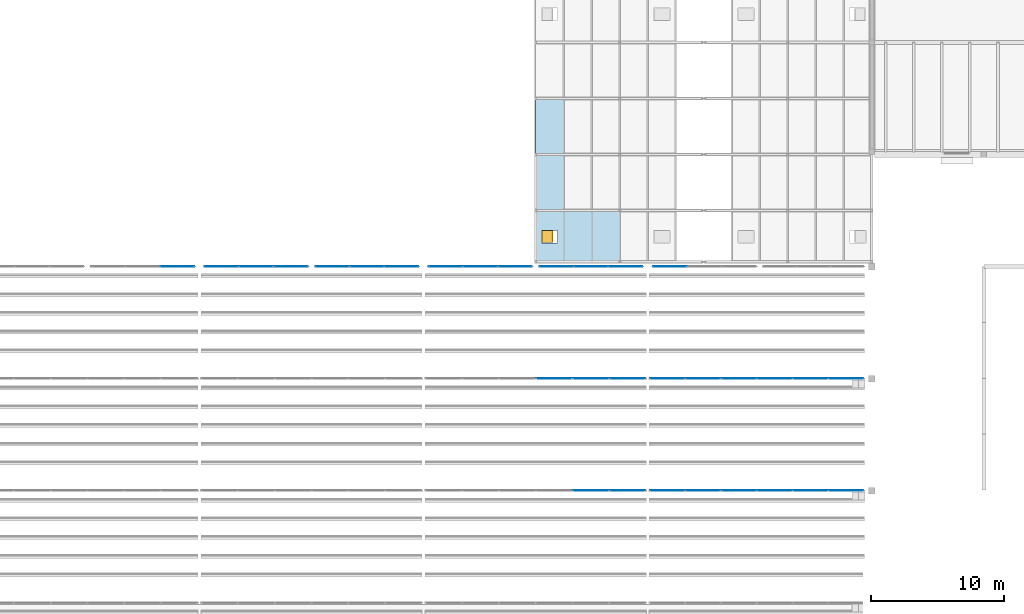
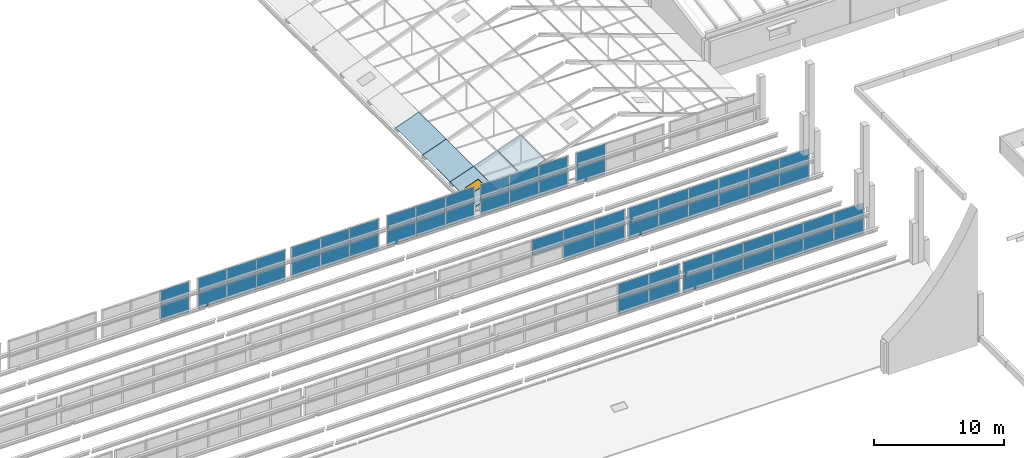
# One storey, part 84 of 116: 61 plates, 5 slabs, 1 window, 1 opening, 10 elements without a shape of their own.
"""IFC4 building model written with IfcOpenShell, lengths in metres."""

from ifc_helpers import new_model, si_unit, direction, frame, origin, origin_2d, place, context, subcontext, project, spatial, polyline, rectangle, outline, extrude, material, layer, layer_set, type_object, element, fill, aggregate, save


model = new_model("IFC4")

# Units and contexts
model_context = context("Model", 3, precision=1e-05, world=origin(), true_north=direction((0.0, 1.0)))
body_context = subcontext(model_context, "Body", "Model", "MODEL_VIEW")
ifc_project = project(units=[si_unit("LENGTHUNIT", "METRE"), si_unit("AREAUNIT", "SQUARE_METRE"), si_unit("VOLUMEUNIT", "CUBIC_METRE"), si_unit("PLANEANGLEUNIT", "RADIAN"), si_unit("MASSUNIT", "GRAM", prefix="KILO")], contexts=[model_context])

# Site, building, storey
site_placement = place(None, origin())
site = spatial("IfcSite", under=ifc_project, at=site_placement, CompositionType="ELEMENT")
building_placement = place(site_placement, origin())
building = spatial("IfcBuilding", under=site, at=building_placement, Name="Fescue Hill Polytechnic", CompositionType="ELEMENT")
storey_placement = place(building_placement, frame((0.0, 0.0, 13.5)))
storey = spatial("IfcBuildingStorey", under=building, at=storey_placement, Name="L03", CompositionType="ELEMENT", Elevation=13.5)

# Curtain wall, plates
ifc_material_1 = material(Name="Aluminium and glass", Category="aluminium")
curtain_wall_type = type_object("IfcCurtainWallType", Name="Sawtooth north glazing curtain wall", PredefinedType="NOTDEFINED", material=ifc_material_1)
curtain_wall_1_placement = place(storey_placement, origin())
curtain_wall_1 = element("IfcCurtainWall", 1, at=curtain_wall_1_placement, inside=storey, type_object=curtain_wall_type, Name="Sawtooth 2 north glazing bay 6", PredefinedType="NOTDEFINED")
ifc_material_2 = material(Name="Glass", Category="glass")
ifc_layer_1 = layer(ifc_material_2, 0.028076171875)
ifc_layer_set_1 = layer_set([ifc_layer_1], Name="Glass")
plate_type = type_object("IfcPlateType", Name="Curtain wall glazing panel 28", PredefinedType="CURTAIN_PANEL", material=ifc_layer_set_1)
plate_1_placement = place(storey_placement, frame((96.5400390625, 33.60009765625, 0.06005859375), z_axis=(0.0, 0.0, 1.0), x_axis=(1.0, 0.0, 0.0)))
plate_1 = element("IfcPlate", 2, at=plate_1_placement, type_object=plate_type, Name="CW13 panel 5.1", PredefinedType="CURTAIN_PANEL", context=body_context, shape_type="SweptSolid", body=[
    extrude(rectangle(XDim=2.699951171875, YDim=0.028076171875, at=origin_2d()), origin(), (0.0, 0.0, 1.0), 1.409912109375),
])
plate_2_placement = place(storey_placement, frame((96.5400390625, 33.60009765625, 1.5302734375), z_axis=(0.0, 0.0, 1.0), x_axis=(1.0, 0.0, 0.0)))
plate_2 = element("IfcPlate", 3, at=plate_2_placement, type_object=plate_type, Name="CW13 panel 5.2", PredefinedType="CURTAIN_PANEL", context=body_context, shape_type="SweptSolid", body=[
    extrude(rectangle(XDim=2.699951171875, YDim=0.028076171875, at=origin_2d()), origin(), (0.0, 0.0, 1.0), 1.409912109375),
])
plate_3_placement = place(storey_placement, frame((99.284912109375, 33.60009765625, 0.06005859375), z_axis=(0.0, 0.0, 1.0), x_axis=(1.0, 0.0, 0.0)))
plate_3 = element("IfcPlate", 4, at=plate_3_placement, type_object=plate_type, Name="CW13 panel 6.1", PredefinedType="CURTAIN_PANEL", context=body_context, shape_type="SweptSolid", body=[
    extrude(rectangle(XDim=2.669921875, YDim=0.028076171875, at=origin_2d()), origin(), (0.0, 0.0, 1.0), 1.409912109375),
])
plate_4_placement = place(storey_placement, frame((99.284912109375, 33.60009765625, 1.5302734375), z_axis=(0.0, 0.0, 1.0), x_axis=(1.0, 0.0, 0.0)))
plate_4 = element("IfcPlate", 5, at=plate_4_placement, type_object=plate_type, Name="CW13 panel 6.2", PredefinedType="CURTAIN_PANEL", context=body_context, shape_type="SweptSolid", body=[
    extrude(rectangle(XDim=2.669921875, YDim=0.028076171875, at=origin_2d()), origin(), (0.0, 0.0, 1.0), 1.409912109375),
])
aggregate(curtain_wall_1, [plate_1, plate_2, plate_3, plate_4])

curtain_wall_2_placement = place(storey_placement, origin())
curtain_wall_2 = element("IfcCurtainWall", 6, at=curtain_wall_2_placement, inside=storey, type_object=curtain_wall_type, Name="Sawtooth 2 north glazing bay 7", PredefinedType="NOTDEFINED")
plate_5_placement = place(storey_placement, frame((102.277587890625, 33.60009765625, 0.06005859375), z_axis=(0.0, 0.0, 1.0), x_axis=(1.0, 0.0, 0.0)))
plate_5 = element("IfcPlate", 7, at=plate_5_placement, type_object=plate_type, Name="CW14 panel 1.1", PredefinedType="CURTAIN_PANEL", context=body_context, shape_type="SweptSolid", body=[
    extrude(rectangle(XDim=2.594970703125, YDim=0.028076171875, at=origin_2d()), origin(), (0.0, 0.0, 1.0), 1.409912109375),
])
plate_6_placement = place(storey_placement, frame((102.277587890625, 33.60009765625, 1.5302734375), z_axis=(0.0, 0.0, 1.0), x_axis=(1.0, 0.0, 0.0)))
plate_6 = element("IfcPlate", 8, at=plate_6_placement, type_object=plate_type, Name="CW14 panel 1.2", PredefinedType="CURTAIN_PANEL", context=body_context, shape_type="SweptSolid", body=[
    extrude(rectangle(XDim=2.594970703125, YDim=0.028076171875, at=origin_2d()), origin(), (0.0, 0.0, 1.0), 1.409912109375),
])
plate_7_placement = place(storey_placement, frame((104.947509765625, 33.60009765625, 0.06005859375), z_axis=(0.0, 0.0, 1.0), x_axis=(1.0, 0.0, 0.0)))
plate_7 = element("IfcPlate", 9, at=plate_7_placement, type_object=plate_type, Name="CW14 panel 2.1", PredefinedType="CURTAIN_PANEL", context=body_context, shape_type="SweptSolid", body=[
    extrude(rectangle(XDim=2.625, YDim=0.028076171875, at=origin_2d()), origin(), (0.0, 0.0, 1.0), 1.409912109375),
])
plate_8_placement = place(storey_placement, frame((104.947509765625, 33.60009765625, 1.5302734375), z_axis=(0.0, 0.0, 1.0), x_axis=(1.0, 0.0, 0.0)))
plate_8 = element("IfcPlate", 10, at=plate_8_placement, type_object=plate_type, Name="CW14 panel 2.2", PredefinedType="CURTAIN_PANEL", context=body_context, shape_type="SweptSolid", body=[
    extrude(rectangle(XDim=2.625, YDim=0.028076171875, at=origin_2d()), origin(), (0.0, 0.0, 1.0), 1.409912109375),
])
plate_9_placement = place(storey_placement, frame((107.632568359375, 33.60009765625, 0.06005859375), z_axis=(0.0, 0.0, 1.0), x_axis=(1.0, 0.0, 0.0)))
plate_9 = element("IfcPlate", 11, at=plate_9_placement, type_object=plate_type, Name="CW14 panel 3.1", PredefinedType="CURTAIN_PANEL", context=body_context, shape_type="SweptSolid", body=[
    extrude(rectangle(XDim=2.625, YDim=0.028076171875, at=origin_2d()), origin(), (0.0, 0.0, 1.0), 1.409912109375),
])
plate_10_placement = place(storey_placement, frame((107.632568359375, 33.60009765625, 1.5302734375), z_axis=(0.0, 0.0, 1.0), x_axis=(1.0, 0.0, 0.0)))
plate_10 = element("IfcPlate", 12, at=plate_10_placement, type_object=plate_type, Name="CW14 panel 3.2", PredefinedType="CURTAIN_PANEL", context=body_context, shape_type="SweptSolid", body=[
    extrude(rectangle(XDim=2.625, YDim=0.028076171875, at=origin_2d()), origin(), (0.0, 0.0, 1.0), 1.409912109375),
])
plate_11_placement = place(storey_placement, frame((110.3173828125, 33.60009765625, 0.06005859375), z_axis=(0.0, 0.0, 1.0), x_axis=(1.0, 0.0, 0.0)))
plate_11 = element("IfcPlate", 13, at=plate_11_placement, type_object=plate_type, Name="CW14 panel 4.1", PredefinedType="CURTAIN_PANEL", context=body_context, shape_type="SweptSolid", body=[
    extrude(rectangle(XDim=2.625, YDim=0.028076171875, at=origin_2d()), origin(), (0.0, 0.0, 1.0), 1.409912109375),
])
plate_12_placement = place(storey_placement, frame((110.3173828125, 33.60009765625, 1.5302734375), z_axis=(0.0, 0.0, 1.0), x_axis=(1.0, 0.0, 0.0)))
plate_12 = element("IfcPlate", 14, at=plate_12_placement, type_object=plate_type, Name="CW14 panel 4.2", PredefinedType="CURTAIN_PANEL", context=body_context, shape_type="SweptSolid", body=[
    extrude(rectangle(XDim=2.625, YDim=0.028076171875, at=origin_2d()), origin(), (0.0, 0.0, 1.0), 1.409912109375),
])
plate_13_placement = place(storey_placement, frame((113.00244140625, 33.60009765625, 0.06005859375), z_axis=(0.0, 0.0, 1.0), x_axis=(1.0, 0.0, 0.0)))
plate_13 = element("IfcPlate", 15, at=plate_13_placement, type_object=plate_type, Name="CW14 panel 5.1", PredefinedType="CURTAIN_PANEL", context=body_context, shape_type="SweptSolid", body=[
    extrude(rectangle(XDim=2.625, YDim=0.028076171875, at=origin_2d()), origin(), (0.0, 0.0, 1.0), 1.409912109375),
])
plate_14_placement = place(storey_placement, frame((113.00244140625, 33.60009765625, 1.5302734375), z_axis=(0.0, 0.0, 1.0), x_axis=(1.0, 0.0, 0.0)))
plate_14 = element("IfcPlate", 16, at=plate_14_placement, type_object=plate_type, Name="CW14 panel 5.2", PredefinedType="CURTAIN_PANEL", context=body_context, shape_type="SweptSolid", body=[
    extrude(rectangle(XDim=2.625, YDim=0.028076171875, at=origin_2d()), origin(), (0.0, 0.0, 1.0), 1.409912109375),
])
plate_15_placement = place(storey_placement, frame((115.672607421875, 33.60009765625, 0.06005859375), z_axis=(0.0, 0.0, 1.0), x_axis=(1.0, 0.0, 0.0)))
plate_15 = element("IfcPlate", 17, at=plate_15_placement, type_object=plate_type, Name="CW14 panel 6.1", PredefinedType="CURTAIN_PANEL", context=body_context, shape_type="SweptSolid", body=[
    extrude(rectangle(XDim=2.594970703125, YDim=0.028076171875, at=origin_2d()), origin(), (0.0, 0.0, 1.0), 1.409912109375),
])
plate_16_placement = place(storey_placement, frame((115.672607421875, 33.60009765625, 1.5302734375), z_axis=(0.0, 0.0, 1.0), x_axis=(1.0, 0.0, 0.0)))
plate_16 = element("IfcPlate", 18, at=plate_16_placement, type_object=plate_type, Name="CW14 panel 6.2", PredefinedType="CURTAIN_PANEL", context=body_context, shape_type="SweptSolid", body=[
    extrude(rectangle(XDim=2.594970703125, YDim=0.028076171875, at=origin_2d()), origin(), (0.0, 0.0, 1.0), 1.409912109375),
])
aggregate(curtain_wall_2, [plate_5, plate_6, plate_7, plate_8, plate_9, plate_10, plate_11, plate_12, plate_13, plate_14, plate_15, plate_16])

curtain_wall_3_placement = place(storey_placement, origin())
curtain_wall_3 = element("IfcCurtainWall", 19, at=curtain_wall_3_placement, inside=storey, type_object=curtain_wall_type, Name="Sawtooth 3 north glazing bay 6", PredefinedType="NOTDEFINED")
plate_17_placement = place(storey_placement, frame((93.780029296875, 42.0, 1.5302734375), z_axis=(0.0, 0.0, 1.0), x_axis=(1.0, 0.0, 0.0)))
plate_17 = element("IfcPlate", 20, at=plate_17_placement, type_object=plate_type, Name="CW20 panel 4.2", PredefinedType="CURTAIN_PANEL", context=body_context, shape_type="SweptSolid", body=[
    extrude(rectangle(XDim=2.699951171875, YDim=0.028076171875, at=origin_2d()), origin(), (0.0, 0.0, 1.0), 1.409912109375),
])
plate_18_placement = place(storey_placement, frame((96.5400390625, 42.0, 0.06005859375), z_axis=(0.0, 0.0, 1.0), x_axis=(1.0, 0.0, 0.0)))
plate_18 = element("IfcPlate", 21, at=plate_18_placement, type_object=plate_type, Name="CW20 panel 5.1", PredefinedType="CURTAIN_PANEL", context=body_context, shape_type="SweptSolid", body=[
    extrude(rectangle(XDim=2.699951171875, YDim=0.028076171875, at=origin_2d()), origin(), (0.0, 0.0, 1.0), 1.409912109375),
])
plate_19_placement = place(storey_placement, frame((96.5400390625, 42.0, 1.5302734375), z_axis=(0.0, 0.0, 1.0), x_axis=(1.0, 0.0, 0.0)))
plate_19 = element("IfcPlate", 22, at=plate_19_placement, type_object=plate_type, Name="CW20 panel 5.2", PredefinedType="CURTAIN_PANEL", context=body_context, shape_type="SweptSolid", body=[
    extrude(rectangle(XDim=2.699951171875, YDim=0.028076171875, at=origin_2d()), origin(), (0.0, 0.0, 1.0), 1.409912109375),
])
plate_20_placement = place(storey_placement, frame((99.284912109375, 42.0, 0.06005859375), z_axis=(0.0, 0.0, 1.0), x_axis=(1.0, 0.0, 0.0)))
plate_20 = element("IfcPlate", 23, at=plate_20_placement, type_object=plate_type, Name="CW20 panel 6.1", PredefinedType="CURTAIN_PANEL", context=body_context, shape_type="SweptSolid", body=[
    extrude(rectangle(XDim=2.669921875, YDim=0.028076171875, at=origin_2d()), origin(), (0.0, 0.0, 1.0), 1.409912109375),
])
plate_21_placement = place(storey_placement, frame((99.284912109375, 42.0, 1.5302734375), z_axis=(0.0, 0.0, 1.0), x_axis=(1.0, 0.0, 0.0)))
plate_21 = element("IfcPlate", 24, at=plate_21_placement, type_object=plate_type, Name="CW20 panel 6.2", PredefinedType="CURTAIN_PANEL", context=body_context, shape_type="SweptSolid", body=[
    extrude(rectangle(XDim=2.669921875, YDim=0.028076171875, at=origin_2d()), origin(), (0.0, 0.0, 1.0), 1.409912109375),
])
aggregate(curtain_wall_3, [plate_17, plate_18, plate_19, plate_20, plate_21])

curtain_wall_4_placement = place(storey_placement, origin())
curtain_wall_4 = element("IfcCurtainWall", 25, at=curtain_wall_4_placement, inside=storey, type_object=curtain_wall_type, Name="Sawtooth 3 north glazing bay 7", PredefinedType="NOTDEFINED")
plate_22_placement = place(storey_placement, frame((102.277587890625, 42.0, 0.06005859375), z_axis=(0.0, 0.0, 1.0), x_axis=(1.0, 0.0, 0.0)))
plate_22 = element("IfcPlate", 26, at=plate_22_placement, type_object=plate_type, Name="CW21 panel 1.1", PredefinedType="CURTAIN_PANEL", context=body_context, shape_type="SweptSolid", body=[
    extrude(rectangle(XDim=2.594970703125, YDim=0.028076171875, at=origin_2d()), origin(), (0.0, 0.0, 1.0), 1.409912109375),
])
plate_23_placement = place(storey_placement, frame((102.277587890625, 42.0, 1.5302734375), z_axis=(0.0, 0.0, 1.0), x_axis=(1.0, 0.0, 0.0)))
plate_23 = element("IfcPlate", 27, at=plate_23_placement, type_object=plate_type, Name="CW21 panel 1.2", PredefinedType="CURTAIN_PANEL", context=body_context, shape_type="SweptSolid", body=[
    extrude(rectangle(XDim=2.594970703125, YDim=0.028076171875, at=origin_2d()), origin(), (0.0, 0.0, 1.0), 1.409912109375),
])
plate_24_placement = place(storey_placement, frame((104.947509765625, 42.0, 0.06005859375), z_axis=(0.0, 0.0, 1.0), x_axis=(1.0, 0.0, 0.0)))
plate_24 = element("IfcPlate", 28, at=plate_24_placement, type_object=plate_type, Name="CW21 panel 2.1", PredefinedType="CURTAIN_PANEL", context=body_context, shape_type="SweptSolid", body=[
    extrude(rectangle(XDim=2.625, YDim=0.028076171875, at=origin_2d()), origin(), (0.0, 0.0, 1.0), 1.409912109375),
])
plate_25_placement = place(storey_placement, frame((104.947509765625, 42.0, 1.5302734375), z_axis=(0.0, 0.0, 1.0), x_axis=(1.0, 0.0, 0.0)))
plate_25 = element("IfcPlate", 29, at=plate_25_placement, type_object=plate_type, Name="CW21 panel 2.2", PredefinedType="CURTAIN_PANEL", context=body_context, shape_type="SweptSolid", body=[
    extrude(rectangle(XDim=2.625, YDim=0.028076171875, at=origin_2d()), origin(), (0.0, 0.0, 1.0), 1.409912109375),
])
plate_26_placement = place(storey_placement, frame((107.632568359375, 42.0, 0.06005859375), z_axis=(0.0, 0.0, 1.0), x_axis=(1.0, 0.0, 0.0)))
plate_26 = element("IfcPlate", 30, at=plate_26_placement, type_object=plate_type, Name="CW21 panel 3.1", PredefinedType="CURTAIN_PANEL", context=body_context, shape_type="SweptSolid", body=[
    extrude(rectangle(XDim=2.625, YDim=0.028076171875, at=origin_2d()), origin(), (0.0, 0.0, 1.0), 1.409912109375),
])
plate_27_placement = place(storey_placement, frame((107.632568359375, 42.0, 1.5302734375), z_axis=(0.0, 0.0, 1.0), x_axis=(1.0, 0.0, 0.0)))
plate_27 = element("IfcPlate", 31, at=plate_27_placement, type_object=plate_type, Name="CW21 panel 3.2", PredefinedType="CURTAIN_PANEL", context=body_context, shape_type="SweptSolid", body=[
    extrude(rectangle(XDim=2.625, YDim=0.028076171875, at=origin_2d()), origin(), (0.0, 0.0, 1.0), 1.409912109375),
])
plate_28_placement = place(storey_placement, frame((110.3173828125, 42.0, 0.06005859375), z_axis=(0.0, 0.0, 1.0), x_axis=(1.0, 0.0, 0.0)))
plate_28 = element("IfcPlate", 32, at=plate_28_placement, type_object=plate_type, Name="CW21 panel 4.1", PredefinedType="CURTAIN_PANEL", context=body_context, shape_type="SweptSolid", body=[
    extrude(rectangle(XDim=2.625, YDim=0.028076171875, at=origin_2d()), origin(), (0.0, 0.0, 1.0), 1.409912109375),
])
plate_29_placement = place(storey_placement, frame((110.3173828125, 42.0, 1.5302734375), z_axis=(0.0, 0.0, 1.0), x_axis=(1.0, 0.0, 0.0)))
plate_29 = element("IfcPlate", 33, at=plate_29_placement, type_object=plate_type, Name="CW21 panel 4.2", PredefinedType="CURTAIN_PANEL", context=body_context, shape_type="SweptSolid", body=[
    extrude(rectangle(XDim=2.625, YDim=0.028076171875, at=origin_2d()), origin(), (0.0, 0.0, 1.0), 1.409912109375),
])
plate_30_placement = place(storey_placement, frame((113.00244140625, 42.0, 0.06005859375), z_axis=(0.0, 0.0, 1.0), x_axis=(1.0, 0.0, 0.0)))
plate_30 = element("IfcPlate", 34, at=plate_30_placement, type_object=plate_type, Name="CW21 panel 5.1", PredefinedType="CURTAIN_PANEL", context=body_context, shape_type="SweptSolid", body=[
    extrude(rectangle(XDim=2.625, YDim=0.028076171875, at=origin_2d()), origin(), (0.0, 0.0, 1.0), 1.409912109375),
])
plate_31_placement = place(storey_placement, frame((113.00244140625, 42.0, 1.5302734375), z_axis=(0.0, 0.0, 1.0), x_axis=(1.0, 0.0, 0.0)))
plate_31 = element("IfcPlate", 35, at=plate_31_placement, type_object=plate_type, Name="CW21 panel 5.2", PredefinedType="CURTAIN_PANEL", context=body_context, shape_type="SweptSolid", body=[
    extrude(rectangle(XDim=2.625, YDim=0.028076171875, at=origin_2d()), origin(), (0.0, 0.0, 1.0), 1.409912109375),
])
plate_32_placement = place(storey_placement, frame((115.672607421875, 42.0, 0.06005859375), z_axis=(0.0, 0.0, 1.0), x_axis=(1.0, 0.0, 0.0)))
plate_32 = element("IfcPlate", 36, at=plate_32_placement, type_object=plate_type, Name="CW21 panel 6.1", PredefinedType="CURTAIN_PANEL", context=body_context, shape_type="SweptSolid", body=[
    extrude(rectangle(XDim=2.594970703125, YDim=0.028076171875, at=origin_2d()), origin(), (0.0, 0.0, 1.0), 1.409912109375),
])
plate_33_placement = place(storey_placement, frame((115.672607421875, 42.0, 1.5302734375), z_axis=(0.0, 0.0, 1.0), x_axis=(1.0, 0.0, 0.0)))
plate_33 = element("IfcPlate", 37, at=plate_33_placement, type_object=plate_type, Name="CW21 panel 6.2", PredefinedType="CURTAIN_PANEL", context=body_context, shape_type="SweptSolid", body=[
    extrude(rectangle(XDim=2.594970703125, YDim=0.028076171875, at=origin_2d()), origin(), (0.0, 0.0, 1.0), 1.409912109375),
])
aggregate(curtain_wall_4, [plate_22, plate_23, plate_24, plate_25, plate_26, plate_27, plate_28, plate_29, plate_30, plate_31, plate_32, plate_33])

curtain_wall_5_placement = place(storey_placement, origin())
curtain_wall_5 = element("IfcCurtainWall", 38, at=curtain_wall_5_placement, inside=storey, type_object=curtain_wall_type, Name="Sawtooth 4 north glazing bay 4 part 2", PredefinedType="NOTDEFINED")
plate_34_placement = place(storey_placement, frame((65.541748046875, 50.39990234375, 0.06005859375), z_axis=(0.0, 0.0, 1.0), x_axis=(1.0, 0.0, 0.0)))
plate_34 = element("IfcPlate", 39, at=plate_34_placement, type_object=plate_type, Name="CW29 panel 3.1", PredefinedType="CURTAIN_PANEL", context=body_context, shape_type="SweptSolid", body=[
    extrude(rectangle(XDim=2.5166015625, YDim=0.028076171875, at=origin_2d()), origin(), (0.0, 0.0, 1.0), 1.409912109375),
])
plate_35_placement = place(storey_placement, frame((65.541748046875, 50.39990234375, 1.5302734375), z_axis=(0.0, 0.0, 1.0), x_axis=(1.0, 0.0, 0.0)))
plate_35 = element("IfcPlate", 40, at=plate_35_placement, type_object=plate_type, Name="CW29 panel 3.2", PredefinedType="CURTAIN_PANEL", context=body_context, shape_type="SweptSolid", body=[
    extrude(rectangle(XDim=2.5166015625, YDim=0.028076171875, at=origin_2d()), origin(), (0.0, 0.0, 1.0), 1.409912109375),
])
aggregate(curtain_wall_5, [plate_34, plate_35])

curtain_wall_6_placement = place(storey_placement, origin())
curtain_wall_6 = element("IfcCurtainWall", 41, at=curtain_wall_6_placement, inside=storey, type_object=curtain_wall_type, Name="Sawtooth 4 north glazing bay 5 part 1", PredefinedType="NOTDEFINED")
plate_36_placement = place(storey_placement, frame((68.8583984375, 50.39990234375, 0.06005859375), z_axis=(0.0, 0.0, 1.0), x_axis=(1.0, 0.0, 0.0)))
plate_36 = element("IfcPlate", 42, at=plate_36_placement, type_object=plate_type, Name="CW30 panel 1.1", PredefinedType="CURTAIN_PANEL", context=body_context, shape_type="SweptSolid", body=[
    extrude(rectangle(XDim=2.5166015625, YDim=0.028076171875, at=origin_2d()), origin(), (0.0, 0.0, 1.0), 1.409912109375),
])
plate_37_placement = place(storey_placement, frame((68.8583984375, 50.39990234375, 1.5302734375), z_axis=(0.0, 0.0, 1.0), x_axis=(1.0, 0.0, 0.0)))
plate_37 = element("IfcPlate", 43, at=plate_37_placement, type_object=plate_type, Name="CW30 panel 1.2", PredefinedType="CURTAIN_PANEL", context=body_context, shape_type="SweptSolid", body=[
    extrude(rectangle(XDim=2.5166015625, YDim=0.028076171875, at=origin_2d()), origin(), (0.0, 0.0, 1.0), 1.409912109375),
])
plate_38_placement = place(storey_placement, frame((71.449951171875, 50.39990234375, 0.06005859375), z_axis=(0.0, 0.0, 1.0), x_axis=(1.0, 0.0, 0.0)))
plate_38 = element("IfcPlate", 44, at=plate_38_placement, type_object=plate_type, Name="CW30 panel 2.1", PredefinedType="CURTAIN_PANEL", context=body_context, shape_type="SweptSolid", body=[
    extrude(rectangle(XDim=2.546630859375, YDim=0.028076171875, at=origin_2d()), origin(), (0.0, 0.0, 1.0), 1.409912109375),
])
plate_39_placement = place(storey_placement, frame((71.449951171875, 50.39990234375, 1.5302734375), z_axis=(0.0, 0.0, 1.0), x_axis=(1.0, 0.0, 0.0)))
plate_39 = element("IfcPlate", 45, at=plate_39_placement, type_object=plate_type, Name="CW30 panel 2.2", PredefinedType="CURTAIN_PANEL", context=body_context, shape_type="SweptSolid", body=[
    extrude(rectangle(XDim=2.546630859375, YDim=0.028076171875, at=origin_2d()), origin(), (0.0, 0.0, 1.0), 1.409912109375),
])
plate_40_placement = place(storey_placement, frame((74.041748046875, 50.39990234375, 0.06005859375), z_axis=(0.0, 0.0, 1.0), x_axis=(1.0, 0.0, 0.0)))
plate_40 = element("IfcPlate", 46, at=plate_40_placement, type_object=plate_type, Name="CW30 panel 3.1", PredefinedType="CURTAIN_PANEL", context=body_context, shape_type="SweptSolid", body=[
    extrude(rectangle(XDim=2.5166015625, YDim=0.028076171875, at=origin_2d()), origin(), (0.0, 0.0, 1.0), 1.409912109375),
])
plate_41_placement = place(storey_placement, frame((74.041748046875, 50.39990234375, 1.5302734375), z_axis=(0.0, 0.0, 1.0), x_axis=(1.0, 0.0, 0.0)))
plate_41 = element("IfcPlate", 47, at=plate_41_placement, type_object=plate_type, Name="CW30 panel 3.2", PredefinedType="CURTAIN_PANEL", context=body_context, shape_type="SweptSolid", body=[
    extrude(rectangle(XDim=2.5166015625, YDim=0.028076171875, at=origin_2d()), origin(), (0.0, 0.0, 1.0), 1.409912109375),
])
aggregate(curtain_wall_6, [plate_36, plate_37, plate_38, plate_39, plate_40, plate_41])

curtain_wall_7_placement = place(storey_placement, origin())
curtain_wall_7 = element("IfcCurtainWall", 48, at=curtain_wall_7_placement, inside=storey, type_object=curtain_wall_type, Name="Sawtooth 4 north glazing bay 5 part 2", PredefinedType="NOTDEFINED")
plate_42_placement = place(storey_placement, frame((77.158447265625, 50.39990234375, 0.06005859375), z_axis=(0.0, 0.0, 1.0), x_axis=(1.0, 0.0, 0.0)))
plate_42 = element("IfcPlate", 49, at=plate_42_placement, type_object=plate_type, Name="CW31 panel 1.1", PredefinedType="CURTAIN_PANEL", context=body_context, shape_type="SweptSolid", body=[
    extrude(rectangle(XDim=2.5166015625, YDim=0.028076171875, at=origin_2d()), origin(), (0.0, 0.0, 1.0), 1.409912109375),
])
plate_43_placement = place(storey_placement, frame((77.158447265625, 50.39990234375, 1.5302734375), z_axis=(0.0, 0.0, 1.0), x_axis=(1.0, 0.0, 0.0)))
plate_43 = element("IfcPlate", 50, at=plate_43_placement, type_object=plate_type, Name="CW31 panel 1.2", PredefinedType="CURTAIN_PANEL", context=body_context, shape_type="SweptSolid", body=[
    extrude(rectangle(XDim=2.5166015625, YDim=0.028076171875, at=origin_2d()), origin(), (0.0, 0.0, 1.0), 1.409912109375),
])
plate_44_placement = place(storey_placement, frame((79.75, 50.39990234375, 0.06005859375), z_axis=(0.0, 0.0, 1.0), x_axis=(1.0, 0.0, 0.0)))
plate_44 = element("IfcPlate", 51, at=plate_44_placement, type_object=plate_type, Name="CW31 panel 2.1", PredefinedType="CURTAIN_PANEL", context=body_context, shape_type="SweptSolid", body=[
    extrude(rectangle(XDim=2.546630859375, YDim=0.028076171875, at=origin_2d()), origin(), (0.0, 0.0, 1.0), 1.409912109375),
])
plate_45_placement = place(storey_placement, frame((79.75, 50.39990234375, 1.5302734375), z_axis=(0.0, 0.0, 1.0), x_axis=(1.0, 0.0, 0.0)))
plate_45 = element("IfcPlate", 52, at=plate_45_placement, type_object=plate_type, Name="CW31 panel 2.2", PredefinedType="CURTAIN_PANEL", context=body_context, shape_type="SweptSolid", body=[
    extrude(rectangle(XDim=2.546630859375, YDim=0.028076171875, at=origin_2d()), origin(), (0.0, 0.0, 1.0), 1.409912109375),
])
plate_46_placement = place(storey_placement, frame((82.341552734375, 50.39990234375, 0.06005859375), z_axis=(0.0, 0.0, 1.0), x_axis=(1.0, 0.0, 0.0)))
plate_46 = element("IfcPlate", 53, at=plate_46_placement, type_object=plate_type, Name="CW31 panel 3.1", PredefinedType="CURTAIN_PANEL", context=body_context, shape_type="SweptSolid", body=[
    extrude(rectangle(XDim=2.5166015625, YDim=0.028076171875, at=origin_2d()), origin(), (0.0, 0.0, 1.0), 1.409912109375),
])
plate_47_placement = place(storey_placement, frame((82.341552734375, 50.39990234375, 1.5302734375), z_axis=(0.0, 0.0, 1.0), x_axis=(1.0, 0.0, 0.0)))
plate_47 = element("IfcPlate", 54, at=plate_47_placement, type_object=plate_type, Name="CW31 panel 3.2", PredefinedType="CURTAIN_PANEL", context=body_context, shape_type="SweptSolid", body=[
    extrude(rectangle(XDim=2.5166015625, YDim=0.028076171875, at=origin_2d()), origin(), (0.0, 0.0, 1.0), 1.409912109375),
])
aggregate(curtain_wall_7, [plate_42, plate_43, plate_44, plate_45, plate_46, plate_47])

curtain_wall_8_placement = place(storey_placement, origin())
curtain_wall_8 = element("IfcCurtainWall", 55, at=curtain_wall_8_placement, inside=storey, type_object=curtain_wall_type, Name="Sawtooth 4 north glazing bay 6 part 1", PredefinedType="NOTDEFINED")
plate_48_placement = place(storey_placement, frame((85.658447265625, 50.39990234375, 0.06005859375), z_axis=(0.0, 0.0, 1.0), x_axis=(1.0, 0.0, 0.0)))
plate_48 = element("IfcPlate", 56, at=plate_48_placement, type_object=plate_type, Name="CW32 panel 1.1", PredefinedType="CURTAIN_PANEL", context=body_context, shape_type="SweptSolid", body=[
    extrude(rectangle(XDim=2.5166015625, YDim=0.028076171875, at=origin_2d()), origin(), (0.0, 0.0, 1.0), 1.409912109375),
])
plate_49_placement = place(storey_placement, frame((85.658447265625, 50.39990234375, 1.5302734375), z_axis=(0.0, 0.0, 1.0), x_axis=(1.0, 0.0, 0.0)))
plate_49 = element("IfcPlate", 57, at=plate_49_placement, type_object=plate_type, Name="CW32 panel 1.2", PredefinedType="CURTAIN_PANEL", context=body_context, shape_type="SweptSolid", body=[
    extrude(rectangle(XDim=2.5166015625, YDim=0.028076171875, at=origin_2d()), origin(), (0.0, 0.0, 1.0), 1.409912109375),
])
plate_50_placement = place(storey_placement, frame((88.25, 50.39990234375, 0.06005859375), z_axis=(0.0, 0.0, 1.0), x_axis=(1.0, 0.0, 0.0)))
plate_50 = element("IfcPlate", 58, at=plate_50_placement, type_object=plate_type, Name="CW32 panel 2.1", PredefinedType="CURTAIN_PANEL", context=body_context, shape_type="SweptSolid", body=[
    extrude(rectangle(XDim=2.546630859375, YDim=0.028076171875, at=origin_2d()), origin(), (0.0, 0.0, 1.0), 1.409912109375),
])
plate_51_placement = place(storey_placement, frame((88.25, 50.39990234375, 1.5302734375), z_axis=(0.0, 0.0, 1.0), x_axis=(1.0, 0.0, 0.0)))
plate_51 = element("IfcPlate", 59, at=plate_51_placement, type_object=plate_type, Name="CW32 panel 2.2", PredefinedType="CURTAIN_PANEL", context=body_context, shape_type="SweptSolid", body=[
    extrude(rectangle(XDim=2.546630859375, YDim=0.028076171875, at=origin_2d()), origin(), (0.0, 0.0, 1.0), 1.409912109375),
])
plate_52_placement = place(storey_placement, frame((90.841552734375, 50.39990234375, 0.06005859375), z_axis=(0.0, 0.0, 1.0), x_axis=(1.0, 0.0, 0.0)))
plate_52 = element("IfcPlate", 60, at=plate_52_placement, type_object=plate_type, Name="CW32 panel 3.1", PredefinedType="CURTAIN_PANEL", context=body_context, shape_type="SweptSolid", body=[
    extrude(rectangle(XDim=2.5166015625, YDim=0.028076171875, at=origin_2d()), origin(), (0.0, 0.0, 1.0), 1.409912109375),
])
plate_53_placement = place(storey_placement, frame((90.841552734375, 50.39990234375, 1.5302734375), z_axis=(0.0, 0.0, 1.0), x_axis=(1.0, 0.0, 0.0)))
plate_53 = element("IfcPlate", 61, at=plate_53_placement, type_object=plate_type, Name="CW32 panel 3.2", PredefinedType="CURTAIN_PANEL", context=body_context, shape_type="SweptSolid", body=[
    extrude(rectangle(XDim=2.5166015625, YDim=0.028076171875, at=origin_2d()), origin(), (0.0, 0.0, 1.0), 1.409912109375),
])
aggregate(curtain_wall_8, [plate_48, plate_49, plate_50, plate_51, plate_52, plate_53])

curtain_wall_9_placement = place(storey_placement, origin())
curtain_wall_9 = element("IfcCurtainWall", 62, at=curtain_wall_9_placement, inside=storey, type_object=curtain_wall_type, Name="Sawtooth 4 north glazing bay 6 part 2", PredefinedType="NOTDEFINED")
plate_54_placement = place(storey_placement, frame((93.958251953125, 50.39990234375, 0.06005859375), z_axis=(0.0, 0.0, 1.0), x_axis=(1.0, 0.0, 0.0)))
plate_54 = element("IfcPlate", 63, at=plate_54_placement, type_object=plate_type, Name="CW33 panel 1.1", PredefinedType="CURTAIN_PANEL", context=body_context, shape_type="SweptSolid", body=[
    extrude(rectangle(XDim=2.5166015625, YDim=0.028076171875, at=origin_2d()), origin(), (0.0, 0.0, 1.0), 1.409912109375),
])
plate_55_placement = place(storey_placement, frame((93.958251953125, 50.39990234375, 1.5302734375), z_axis=(0.0, 0.0, 1.0), x_axis=(1.0, 0.0, 0.0)))
plate_55 = element("IfcPlate", 64, at=plate_55_placement, type_object=plate_type, Name="CW33 panel 1.2", PredefinedType="CURTAIN_PANEL", context=body_context, shape_type="SweptSolid", body=[
    extrude(rectangle(XDim=2.5166015625, YDim=0.028076171875, at=origin_2d()), origin(), (0.0, 0.0, 1.0), 1.409912109375),
])
plate_56_placement = place(storey_placement, frame((96.550048828125, 50.39990234375, 0.06005859375), z_axis=(0.0, 0.0, 1.0), x_axis=(1.0, 0.0, 0.0)))
plate_56 = element("IfcPlate", 65, at=plate_56_placement, type_object=plate_type, Name="CW33 panel 2.1", PredefinedType="CURTAIN_PANEL", context=body_context, shape_type="SweptSolid", body=[
    extrude(rectangle(XDim=2.546630859375, YDim=0.028076171875, at=origin_2d()), origin(), (0.0, 0.0, 1.0), 1.409912109375),
])
plate_57_placement = place(storey_placement, frame((96.550048828125, 50.39990234375, 1.5302734375), z_axis=(0.0, 0.0, 1.0), x_axis=(1.0, 0.0, 0.0)))
plate_57 = element("IfcPlate", 66, at=plate_57_placement, type_object=plate_type, Name="CW33 panel 2.2", PredefinedType="CURTAIN_PANEL", context=body_context, shape_type="SweptSolid", body=[
    extrude(rectangle(XDim=2.546630859375, YDim=0.028076171875, at=origin_2d()), origin(), (0.0, 0.0, 1.0), 1.409912109375),
])
plate_58_placement = place(storey_placement, frame((99.1416015625, 50.39990234375, 0.06005859375), z_axis=(0.0, 0.0, 1.0), x_axis=(1.0, 0.0, 0.0)))
plate_58 = element("IfcPlate", 67, at=plate_58_placement, type_object=plate_type, Name="CW33 panel 3.1", PredefinedType="CURTAIN_PANEL", context=body_context, shape_type="SweptSolid", body=[
    extrude(rectangle(XDim=2.5166015625, YDim=0.028076171875, at=origin_2d()), origin(), (0.0, 0.0, 1.0), 1.409912109375),
])
plate_59_placement = place(storey_placement, frame((99.1416015625, 50.39990234375, 1.5302734375), z_axis=(0.0, 0.0, 1.0), x_axis=(1.0, 0.0, 0.0)))
plate_59 = element("IfcPlate", 68, at=plate_59_placement, type_object=plate_type, Name="CW33 panel 3.2", PredefinedType="CURTAIN_PANEL", context=body_context, shape_type="SweptSolid", body=[
    extrude(rectangle(XDim=2.5166015625, YDim=0.028076171875, at=origin_2d()), origin(), (0.0, 0.0, 1.0), 1.409912109375),
])
aggregate(curtain_wall_9, [plate_54, plate_55, plate_56, plate_57, plate_58, plate_59])

curtain_wall_10_placement = place(storey_placement, origin())
curtain_wall_10 = element("IfcCurtainWall", 69, at=curtain_wall_10_placement, inside=storey, type_object=curtain_wall_type, Name="Sawtooth 4 north glazing bay 7 part 1", PredefinedType="NOTDEFINED")
plate_60_placement = place(storey_placement, frame((102.458251953125, 50.39990234375, 0.06005859375), z_axis=(0.0, 0.0, 1.0), x_axis=(1.0, 0.0, 0.0)))
plate_60 = element("IfcPlate", 70, at=plate_60_placement, type_object=plate_type, Name="CW34 panel 1.1", PredefinedType="CURTAIN_PANEL", context=body_context, shape_type="SweptSolid", body=[
    extrude(rectangle(XDim=2.5166015625, YDim=0.028076171875, at=origin_2d()), origin(), (0.0, 0.0, 1.0), 1.409912109375),
])
plate_61_placement = place(storey_placement, frame((102.458251953125, 50.39990234375, 1.5302734375), z_axis=(0.0, 0.0, 1.0), x_axis=(1.0, 0.0, 0.0)))
plate_61 = element("IfcPlate", 71, at=plate_61_placement, type_object=plate_type, Name="CW34 panel 1.2", PredefinedType="CURTAIN_PANEL", context=body_context, shape_type="SweptSolid", body=[
    extrude(rectangle(XDim=2.5166015625, YDim=0.028076171875, at=origin_2d()), origin(), (0.0, 0.0, 1.0), 1.409912109375),
])
aggregate(curtain_wall_10, [plate_60, plate_61])

# Slab, opening, window
ifc_layer_2 = layer(ifc_material_2, 0.030029296875)
ifc_layer_set_2 = layer_set([ifc_layer_2], Name="Glass")
slab_type = type_object("IfcSlabType", Name="Winter garden roof glazing 30", PredefinedType="ROOF", material=ifc_layer_set_2)
slab_placement = place(storey_placement, frame((92.39990234375, 50.75, 0.7724609375), z_axis=(-0.336294501436, 0.0, 0.941756873245), x_axis=(0.0, 1.0, 0.0)))
slab = element("IfcSlab", 72, at=slab_placement, inside=storey, type_object=slab_type, Name="Winter garden roof glazing", PredefinedType="ROOF", context=body_context, shape_type="SweptSolid", body=[
    extrude(outline(polyline([(0.0, 0.0), (3.85009765625, 0.0), (3.85009765625, -2.214942687716117), (0.0, -2.214942687716117), (0.0, 0.0)])), origin(), (0.0, 0.0, -1.0), 0.030029296875),
])
opening_placement = place(storey_placement, frame((93.449951171875, 52.64990234375, 0.80126953125)))
opening = element("IfcOpeningElement", 73, at=opening_placement, cuts=slab, Name="Opening WH5", PredefinedType="OPENING", context=body_context, shape_type="SweptSolid", body=[
    extrude(rectangle(XDim=1.206787109375, YDim=0.93994140625, at=origin_2d()), origin(), (0.0, 0.0, 1.0), 0.660400390625),
])
ifc_material_3 = material(Name="Powder-coated aluminium and glass", Category="aluminium")
window_type = type_object("IfcWindowType", Name="Opening vent 900x1200", PartitioningType="SINGLE_PANEL", PredefinedType="SKYLIGHT", material=ifc_material_3)
window_placement = place(storey_placement, frame((93.449951171875, 52.64990234375, 1.1474609375), z_axis=(-0.336294501436, 0.0, 0.941756873245), x_axis=(0.0, 1.0, 0.0)))
window = element("IfcWindow", 74, at=window_placement, inside=storey, type_object=window_type, Name="RLT-L03-WG-GLW-01-1", OverallHeight=1.199951171875, OverallWidth=0.89990234375, PartitioningType="SINGLE_PANEL", PredefinedType="SKYLIGHT", context=body_context, shape_type="SweptSolid", body=[
    extrude(rectangle(XDim=0.89990234375, YDim=1.199951171875, at=origin_2d()), origin(), (0.0, 0.0, -1.0), 0.030029296875),
])
fill(opening, window)

# Slabs
for number, where, z_axis, x_axis, name in (
    (75, (94.5, 50.75, 1.5224609375), (-0.336329413726, 0.0, 0.941744405591), (0.0, 1.0, 0.0), "Winter garden roof glazing"),
    (76, (96.599853515625, 50.75, 2.2724609375), (-0.336329413726, 0.0, 0.941744405591), (0.0, 1.0, 0.0), "Winter garden roof glazing"),
):
    element("IfcSlab", number, at=place(storey_placement, frame(where, z_axis=z_axis, x_axis=x_axis)), inside=storey, type_object=slab_type, Name=name, PredefinedType="ROOF", context=body_context, shape_type="SweptSolid", body=[
        extrude(outline(polyline([(0.0, 0.0), (3.85009765625, 0.0), (3.85009765625, -2.2147127681263363), (0.0, -2.2147127681263363), (0.0, 0.0)])), origin(), (0.0, 0.0, -1.0), 0.030029296875),
    ])
for number, where, z_axis, x_axis, name in (
    (77, (92.39990234375, 54.60009765625, 0.7724609375), (-0.336294501436, 0.0, 0.941756873245), (0.0, 1.0, 0.0), "Winter garden roof glazing"),
    (78, (92.39990234375, 58.800048828125, 0.7724609375), (-0.336294501436, 0.0, 0.941756873245), (0.0, 1.0, 0.0), "Winter garden roof glazing"),
):
    element("IfcSlab", number, at=place(storey_placement, frame(where, z_axis=z_axis, x_axis=x_axis)), inside=storey, type_object=slab_type, Name=name, PredefinedType="ROOF", context=body_context, shape_type="SweptSolid", body=[
        extrude(outline(polyline([(0.0, 0.0), (4.199951171875, 0.0), (4.199951171875, -2.214942687716117), (0.0, -2.214942687716117), (0.0, 0.0)])), origin(), (0.0, 0.0, -1.0), 0.030029296875),
    ])

save(model, "model.ifc")
